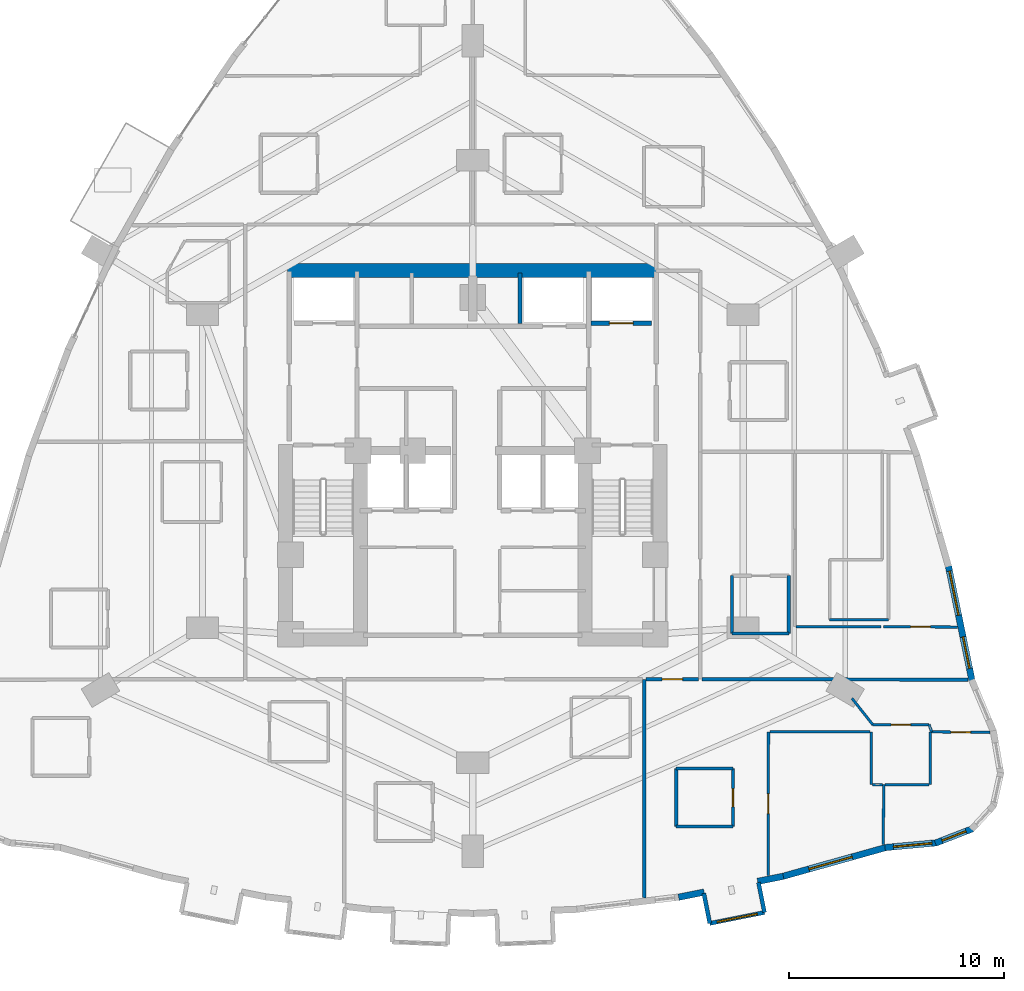
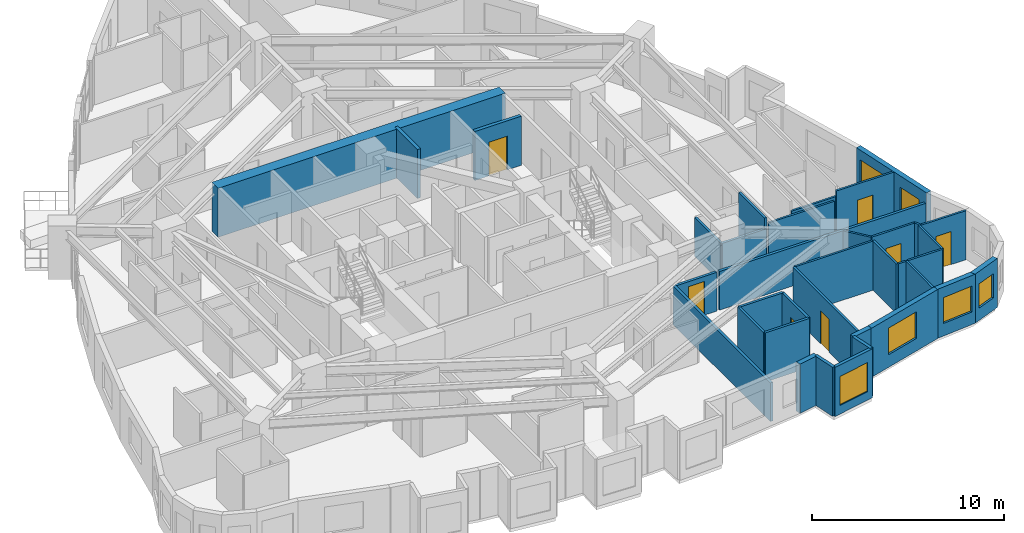
# One storey, part 13 of 17: 36 walls, 7 doors, 6 windows, 13 openings.
"""IFC4 building model written with IfcOpenShell, lengths in metres."""

from ifc_helpers import new_model, si_unit, direction, frame, frame_2d, origin, place, context, subcontext, project, spatial, rectangle, extrude, material, layer, layer_set, type_object, element, fill, save


model = new_model("IFC4")

# Units and contexts
model_context = context("Model", 3, precision=1e-05, world=origin(), true_north=direction((0.0, 1.0)))
body_context = subcontext(model_context, "Body", "Model", "MODEL_VIEW")
ifc_project = project(units=[si_unit("LENGTHUNIT", "METRE"), si_unit("AREAUNIT", "SQUARE_METRE"), si_unit("VOLUMEUNIT", "CUBIC_METRE"), si_unit("PLANEANGLEUNIT", "RADIAN"), si_unit("MASSUNIT", "GRAM", prefix="KILO")], contexts=[model_context])

# Site, building, storey
site_placement = place(None, origin())
site = spatial("IfcSite", under=ifc_project, at=site_placement, CompositionType="ELEMENT")
building_placement = place(site_placement, origin())
building = spatial("IfcBuilding", under=site, at=building_placement, Name="Miruveldt Soraemaru", CompositionType="ELEMENT")
storey_placement = place(building_placement, frame((0.0, 0.0, 53.0)))
storey = spatial("IfcBuildingStorey", under=building, at=storey_placement, Name="L14", CompositionType="ELEMENT", Elevation=53.0)

# Walls
ifc_material_1 = material(Name="White powder-coated aluminium EN AW-6060 T6", Category="aluminium")
ifc_layer_1 = layer(ifc_material_1, 0.18994140625, Name="White powder-coated aluminium EN AW-6060 T6", Category="aluminium")
ifc_layer_set_1 = layer_set([ifc_layer_1], Name="White powder-coated aluminium EN AW-6060 T6")
wall_type_1 = type_object("IfcWallType", Name="WALL-BAY-ALU190", PredefinedType="SOLIDWALL", material=ifc_layer_set_1)
for number, where, z_axis, x_axis, name in (
    (1, (54.769287109375, 23.41796875, 0.0), (0.0, 0.0, 1.0), (0.195984352603, -0.980607022989, 0.0), "L14 Bay Window Side Cheek 5L"),
    (2, (57.59814453125, 22.530517578125, 0.0), (0.0, 0.0, 1.0), (-0.196149079112, 0.980574086321, 0.0), "L14 Bay Window Side Cheek 5R"),
):
    element("IfcWall", number, at=place(storey_placement, frame(where, z_axis=z_axis, x_axis=x_axis)), inside=storey, type_object=wall_type_1, Name=name, PredefinedType="SOLIDWALL", context=body_context, shape_type="SweptSolid", body=[
        extrude(rectangle(XDim=1.425048828125, YDim=0.18994140625, at=frame_2d((0.71240234375, 0.0))), origin(), (0.0, 0.0, 1.0), 3.125),
    ])

# Wall, opening, window
wall_1_placement = place(storey_placement, frame((55.048583984375, 22.0205078125, 0.0), z_axis=(0.0, 0.0, 1.0), x_axis=(0.980573452128, 0.196152249497, 0.0)))
wall_1 = element("IfcWall", 3, at=wall_1_placement, inside=storey, type_object=wall_type_1, Name="L14 Bay Window Front Frame 5", PredefinedType="SOLIDWALL", context=body_context, shape_type="SweptSolid", body=[
    extrude(rectangle(XDim=2.60009765625, YDim=0.18994140625, at=frame_2d((1.300048828125, 0.0))), origin(), (0.0, 0.0, 1.0), 3.125),
])
opening_1_placement = place(wall_1_placement, frame((0.35009765625, 0.0, 0.550048828125)))
opening_1 = element("IfcOpeningElement", 4, at=opening_1_placement, cuts=wall_1, Name="Opening WN-6", PredefinedType="OPENING", context=body_context, shape_type="SweptSolid", body=[
    extrude(rectangle(XDim=1.89990234375, YDim=1.85009765625, at=frame_2d((0.949951171875, 0.925048828125))), frame((0.0, 0.10498046875, 0.0), z_axis=(0.0, -1.0, 0.0), x_axis=(1.0, 0.0, 0.0)), (0.0, 0.0, 1.0), 0.2099609375),
])
ifc_material_2 = material(Name="Triple low-e insulated glazing", Category="glass")
window_type_1 = type_object("IfcWindowType", Name="WIN-BAYW-1900x1850", PartitioningType="SINGLE_PANEL", PredefinedType="WINDOW", material=ifc_material_2)
window_1_placement = place(opening_1_placement, origin())
window_1 = element("IfcWindow", 5, at=window_1_placement, inside=storey, type_object=window_type_1, Name="L14 Projecting Bay Window 5", OverallHeight=1.85009765625, OverallWidth=1.89990234375, PartitioningType="SINGLE_PANEL", PredefinedType="WINDOW", context=body_context, shape_type="SweptSolid", body=[
    extrude(rectangle(XDim=1.89990234375, YDim=1.85009765625, at=frame_2d((0.949951171875, 0.925048828125))), frame((0.0, 0.030029296875, 0.0), z_axis=(0.0, -1.0, 0.0), x_axis=(1.0, 0.0, 0.0)), (0.0, 0.0, 1.0), 0.06005859375),
])
fill(opening_1, window_1)

# Walls
ifc_material_3 = material(Name="Concrete C80/95 (80 MPa)", Category="concrete")
ifc_layer_2 = layer(ifc_material_3, 0.64990234375, Name="Concrete C80/95 (80 MPa)", Category="concrete")
ifc_layer_set_2 = layer_set([ifc_layer_2], Name="Concrete C80/95 (80 MPa)")
wall_type_2 = type_object("IfcWallType", Name="WALL-CW-650", PredefinedType="SHEAR", material=ifc_layer_set_2)
wall_2_placement = place(storey_placement, frame((35.35009765625, 52.449951171875, 0.0), z_axis=(0.0, 0.0, 1.0), x_axis=(1.0, 0.0, 0.0)))
element("IfcWall", 6, at=wall_2_placement, inside=storey, type_object=wall_type_2, Name="L14 Central Core Shear Wall N", PredefinedType="SHEAR", context=body_context, shape_type="SweptSolid", body=[
    extrude(rectangle(XDim=17.2998046875, YDim=0.64990234375, at=frame_2d((8.64990234375, 0.0))), origin(), (0.0, 0.0, 1.0), 3.125),
])
ifc_material_4 = material(Name="Precast concrete C45/55 (45 MPa)", Category="concrete")
ifc_layer_3 = layer(ifc_material_4, 0.300048828125, Name="Precast concrete C45/55 (45 MPa)", Category="concrete")
ifc_layer_set_3 = layer_set([ifc_layer_3], Name="Precast concrete C45/55 (45 MPa)")
wall_type_3 = type_object("IfcWallType", Name="WALL-EXT-PC300", PredefinedType="SOLIDWALL", material=ifc_layer_set_3)
for number, where, z_axis, x_axis, name in (
    (7, (53.59228515625, 23.238525390625, 0.0), (0.0, 0.0, 1.0), (0.980557564688, 0.196231654767, 0.0), "L14 Precast Pier Wall 27A"),
    (8, (57.278564453125, 23.975830078125, 0.0), (0.0, 0.0, 1.0), (0.980557564688, 0.196231654767, 0.0), "L14 Precast Pier Wall 27B"),
):
    element("IfcWall", number, at=place(storey_placement, frame(where, z_axis=z_axis, x_axis=x_axis)), inside=storey, type_object=wall_type_3, Name=name, PredefinedType="SOLIDWALL", context=body_context, shape_type="SweptSolid", body=[
        extrude(rectangle(XDim=1.21923828125, YDim=0.300048828125, at=frame_2d((0.609619140625, 0.0))), origin(), (0.0, 0.0, 1.0), 3.125),
    ])

# Wall, opening, window
wall_3_placement = place(storey_placement, frame((58.406005859375, 24.19873046875, 0.0), z_axis=(0.0, 0.0, 1.0), x_axis=(0.962973524066, 0.269595979102, 0.0)))
wall_3 = element("IfcWall", 9, at=wall_3_placement, inside=storey, type_object=wall_type_3, Name="L14 Precast Concrete Facade Wall 28", PredefinedType="SOLIDWALL", context=body_context, shape_type="SweptSolid", body=[
    extrude(rectangle(XDim=5.068603515625, YDim=0.300048828125, at=frame_2d((2.5341796875, 0.0))), origin(), (0.0, 0.0, 1.0), 3.125),
])
opening_2_placement = place(wall_3_placement, frame((1.306884765625, 0.0, 0.800048828125)))
opening_2 = element("IfcOpeningElement", 10, at=opening_2_placement, cuts=wall_3, Name="Opening WN-1", PredefinedType="OPENING", context=body_context, shape_type="SweptSolid", body=[
    extrude(rectangle(XDim=2.10009765625, YDim=1.699951171875, at=frame_2d((1.050048828125, 0.85009765625))), frame((0.0, 0.16015625, 0.0), z_axis=(0.0, -1.0, 0.0), x_axis=(1.0, 0.0, 0.0)), (0.0, 0.0, 1.0), 0.320068359375),
])
window_type_2 = type_object("IfcWindowType", Name="WIN-PUNCH-2100x1700", PartitioningType="SINGLE_PANEL", PredefinedType="WINDOW", material=ifc_material_2)
window_2_placement = place(opening_2_placement, origin())
window_2 = element("IfcWindow", 11, at=window_2_placement, inside=storey, type_object=window_type_2, Name="L14 Punched Triple-Glazed Window 28.1", OverallHeight=1.699951171875, OverallWidth=2.10009765625, PartitioningType="SINGLE_PANEL", PredefinedType="WINDOW", context=body_context, shape_type="SweptSolid", body=[
    extrude(rectangle(XDim=2.10009765625, YDim=1.699951171875, at=frame_2d((1.050048828125, 0.85009765625))), frame((0.0, 0.030029296875, 0.0), z_axis=(0.0, -1.0, 0.0), x_axis=(1.0, 0.0, 0.0)), (0.0, 0.0, 1.0), 0.06005859375),
])
fill(opening_2, window_2)

wall_4_placement = place(storey_placement, frame((63.21826171875, 25.552734375, 0.0), z_axis=(0.0, 0.0, 1.0), x_axis=(0.995769232406, 0.091889258318, 0.0)))
wall_4 = element("IfcWall", 12, at=wall_4_placement, inside=storey, type_object=wall_type_3, Name="L14 Precast Concrete Facade Wall 29", PredefinedType="SOLIDWALL", context=body_context, shape_type="SweptSolid", body=[
    extrude(rectangle(XDim=2.423095703125, YDim=0.300048828125, at=frame_2d((1.21142578125, 0.0))), origin(), (0.0, 0.0, 1.0), 3.125),
])
opening_3_placement = place(wall_4_placement, frame((0.39501953125, 0.0, 0.800048828125)))
opening_3 = element("IfcOpeningElement", 13, at=opening_3_placement, cuts=wall_4, Name="Opening WN-2", PredefinedType="OPENING", context=body_context, shape_type="SweptSolid", body=[
    extrude(rectangle(XDim=1.800048828125, YDim=1.64990234375, at=frame_2d((0.89990234375, 0.824951171875))), frame((0.0, 0.16015625, 0.0), z_axis=(0.0, -1.0, 0.0), x_axis=(1.0, 0.0, 0.0)), (0.0, 0.0, 1.0), 0.320068359375),
])
window_type_3 = type_object("IfcWindowType", Name="WIN-PUNCH-1800x1650", PartitioningType="SINGLE_PANEL", PredefinedType="WINDOW", material=ifc_material_2)
window_3_placement = place(opening_3_placement, origin())
window_3 = element("IfcWindow", 14, at=window_3_placement, inside=storey, type_object=window_type_3, Name="L14 Punched Triple-Glazed Window 29.1", OverallHeight=1.64990234375, OverallWidth=1.800048828125, PartitioningType="SINGLE_PANEL", PredefinedType="WINDOW", context=body_context, shape_type="SweptSolid", body=[
    extrude(rectangle(XDim=1.800048828125, YDim=1.64990234375, at=frame_2d((0.89990234375, 0.824951171875))), frame((0.0, 0.030029296875, 0.0), z_axis=(0.0, -1.0, 0.0), x_axis=(1.0, 0.0, 0.0)), (0.0, 0.0, 1.0), 0.06005859375),
])
fill(opening_3, window_3)

wall_5_placement = place(storey_placement, frame((65.5634765625, 25.759521484375, 0.0), z_axis=(0.0, 0.0, 1.0), x_axis=(0.932255014828, 0.361801861975, 0.0)))
wall_5 = element("IfcWall", 15, at=wall_5_placement, inside=storey, type_object=wall_type_3, Name="L14 Precast Concrete Facade Wall 30", PredefinedType="SOLIDWALL", context=body_context, shape_type="SweptSolid", body=[
    extrude(rectangle(XDim=1.865234375, YDim=0.300048828125, at=frame_2d((0.9326171875, 0.0))), origin(), (0.0, 0.0, 1.0), 3.125),
])
opening_4_placement = place(wall_5_placement, frame((0.3330078125, 0.0, 0.780029296875)))
opening_4 = element("IfcOpeningElement", 16, at=opening_4_placement, cuts=wall_5, Name="Opening WN-4", PredefinedType="OPENING", context=body_context, shape_type="SweptSolid", body=[
    extrude(rectangle(XDim=1.199951171875, YDim=1.550048828125, at=frame_2d((0.60009765625, 0.77490234375))), frame((0.0, 0.16015625, 0.0), z_axis=(0.0, -1.0, 0.0), x_axis=(1.0, 0.0, 0.0)), (0.0, 0.0, 1.0), 0.320068359375),
])
window_type_4 = type_object("IfcWindowType", Name="WIN-PUNCH-1200x1550", PartitioningType="SINGLE_PANEL", PredefinedType="WINDOW", material=ifc_material_2)
window_4_placement = place(opening_4_placement, origin())
window_4 = element("IfcWindow", 17, at=window_4_placement, inside=storey, type_object=window_type_4, Name="L14 Punched Triple-Glazed Window 30.1", OverallHeight=1.550048828125, OverallWidth=1.199951171875, PartitioningType="SINGLE_PANEL", PredefinedType="WINDOW", context=body_context, shape_type="SweptSolid", body=[
    extrude(rectangle(XDim=1.199951171875, YDim=1.550048828125, at=frame_2d((0.60009765625, 0.77490234375))), frame((0.0, 0.030029296875, 0.0), z_axis=(0.0, -1.0, 0.0), x_axis=(1.0, 0.0, 0.0)), (0.0, 0.0, 1.0), 0.06005859375),
])
fill(opening_4, window_4)

# Wall, openings, windows
wall_6_placement = place(storey_placement, frame((67.276611328125, 33.313232421875, 0.0), z_axis=(0.0, 0.0, 1.0), x_axis=(-0.201560647918, 0.979476036057, 0.0)))
wall_6 = element("IfcWall", 18, at=wall_6_placement, inside=storey, type_object=wall_type_3, Name="L14 Precast Concrete Facade Wall 35", PredefinedType="SOLIDWALL", context=body_context, shape_type="SweptSolid", body=[
    extrude(rectangle(XDim=5.5244140625, YDim=0.300048828125, at=frame_2d((2.76220703125, 0.0))), origin(), (0.0, 0.0, 1.0), 3.125),
])
opening_5_placement = place(wall_6_placement, frame((0.60498046875, 0.0, 0.800048828125)))
opening_5 = element("IfcOpeningElement", 19, at=opening_5_placement, cuts=wall_6, Name="Opening WN-3", PredefinedType="OPENING", context=body_context, shape_type="SweptSolid", body=[
    extrude(rectangle(XDim=1.5, YDim=1.60009765625, at=frame_2d((0.75, 0.800048828125))), frame((0.0, 0.16015625, 0.0), z_axis=(0.0, -1.0, 0.0), x_axis=(1.0, 0.0, 0.0)), (0.0, 0.0, 1.0), 0.320068359375),
])
opening_6_placement = place(wall_6_placement, frame((3.135009765625, 0.0, 0.800048828125)))
opening_6 = element("IfcOpeningElement", 20, at=opening_6_placement, cuts=wall_6, Name="Opening WN-1", PredefinedType="OPENING", context=body_context, shape_type="SweptSolid", body=[
    extrude(rectangle(XDim=2.10009765625, YDim=1.699951171875, at=frame_2d((1.050048828125, 0.85009765625))), frame((0.0, 0.16015625, 0.0), z_axis=(0.0, -1.0, 0.0), x_axis=(1.0, 0.0, 0.0)), (0.0, 0.0, 1.0), 0.320068359375),
])
window_type_5 = type_object("IfcWindowType", Name="WIN-PUNCH-1500x1600", PartitioningType="SINGLE_PANEL", PredefinedType="WINDOW", material=ifc_material_2)
window_5_placement = place(opening_5_placement, origin())
window_5 = element("IfcWindow", 21, at=window_5_placement, inside=storey, type_object=window_type_5, Name="L14 Punched Triple-Glazed Window 35.1", OverallHeight=1.60009765625, OverallWidth=1.5, PartitioningType="SINGLE_PANEL", PredefinedType="WINDOW", context=body_context, shape_type="SweptSolid", body=[
    extrude(rectangle(XDim=1.5, YDim=1.60009765625, at=frame_2d((0.75, 0.800048828125))), frame((0.0, 0.030029296875, 0.0), z_axis=(0.0, -1.0, 0.0), x_axis=(1.0, 0.0, 0.0)), (0.0, 0.0, 1.0), 0.06005859375),
])
fill(opening_5, window_5)
window_6_placement = place(opening_6_placement, origin())
window_6 = element("IfcWindow", 22, at=window_6_placement, inside=storey, type_object=window_type_2, Name="L14 Punched Triple-Glazed Window 35.2", OverallHeight=1.699951171875, OverallWidth=2.10009765625, PartitioningType="SINGLE_PANEL", PredefinedType="WINDOW", context=body_context, shape_type="SweptSolid", body=[
    extrude(rectangle(XDim=2.10009765625, YDim=1.699951171875, at=frame_2d((1.050048828125, 0.85009765625))), frame((0.0, 0.030029296875, 0.0), z_axis=(0.0, -1.0, 0.0), x_axis=(1.0, 0.0, 0.0)), (0.0, 0.0, 1.0), 0.06005859375),
])
fill(opening_6, window_6)

# Wall, opening, door
ifc_material_5 = material(Name="Gypsum plasterboard lining", Category="gypsum")
ifc_layer_4 = layer(ifc_material_5, 0.1201171875, Name="Gypsum plasterboard lining", Category="gypsum")
ifc_layer_set_4 = layer_set([ifc_layer_4], Name="Gypsum plasterboard lining")
wall_type_4 = type_object("IfcWallType", Name="WALL-INT-P120", PredefinedType="PARTITIONING", material=ifc_layer_set_4)
wall_7_placement = place(storey_placement, frame((57.76708984375, 24.241943359375, 0.0), z_axis=(0.0, 0.0, 1.0), x_axis=(0.002511274655, 0.999996846745, 0.0)))
wall_7 = element("IfcWall", 23, at=wall_7_placement, inside=storey, type_object=wall_type_4, Name="L14 Partition Wall 99", PredefinedType="PARTITIONING", context=body_context, shape_type="SweptSolid", body=[
    extrude(rectangle(XDim=6.7080078125, YDim=0.1201171875, at=frame_2d((3.35400390625, 0.0))), origin(), (0.0, 0.0, 1.0), 3.125),
])
opening_7_placement = place(wall_7_placement, frame((2.89404296875, 0.0, 0.0)))
opening_7 = element("IfcOpeningElement", 24, at=opening_7_placement, cuts=wall_7, Name="Opening D3A", PredefinedType="OPENING", context=body_context, shape_type="SweptSolid", body=[
    extrude(rectangle(XDim=0.919921875, YDim=2.10009765625, at=frame_2d((0.4599609375, 1.050048828125))), frame((0.0, 0.070068359375, 0.0), z_axis=(0.0, -1.0, 0.0), x_axis=(1.0, 0.0, 0.0)), (0.0, 0.0, 1.0), 0.14013671875),
])
ifc_material_6 = material(Name="Anodised aluminium EN AW-6063 T6", Category="aluminium")
door_type_1 = type_object("IfcDoorType", Name="DOOR-INT-920", OperationType="NOTDEFINED", PredefinedType="DOOR", material=ifc_material_6)
door_1_placement = place(opening_7_placement, origin())
door_1 = element("IfcDoor", 25, at=door_1_placement, inside=storey, type_object=door_type_1, Name="L14 Unit 1409 BD1 Door", OperationType="SINGLE_SWING_LEFT", OverallHeight=2.10009765625, OverallWidth=0.919921875, PredefinedType="DOOR", context=body_context, shape_type="SweptSolid", body=[
    extrude(rectangle(XDim=0.919921875, YDim=2.10009765625, at=frame_2d((0.4599609375, 1.050048828125))), frame((0.0, 0.02490234375, 0.0), z_axis=(0.0, -1.0, 0.0), x_axis=(1.0, 0.0, 0.0)), (0.0, 0.0, 1.0), 0.050048828125),
])
fill(opening_7, door_1)

wall_8_placement = place(storey_placement, frame((66.590087890625, 35.8330078125, 0.0), z_axis=(0.0, 0.0, 1.0), x_axis=(-0.99998766816, 0.004966238863, 0.0)))
wall_8 = element("IfcWall", 26, at=wall_8_placement, inside=storey, type_object=wall_type_4, Name="L14 Partition Wall 68", PredefinedType="PARTITIONING", context=body_context, shape_type="SweptSolid", body=[
    extrude(rectangle(XDim=3.441162109375, YDim=0.1201171875, at=frame_2d((1.720703125, 0.0))), origin(), (0.0, 0.0, 1.0), 3.125),
])
opening_8_placement = place(wall_8_placement, frame((1.260986328125, 0.0, 0.0)))
opening_8 = element("IfcOpeningElement", 27, at=opening_8_placement, cuts=wall_8, Name="Opening D3A", PredefinedType="OPENING", context=body_context, shape_type="SweptSolid", body=[
    extrude(rectangle(XDim=0.919921875, YDim=2.10009765625, at=frame_2d((0.4599609375, 1.050048828125))), frame((0.0, 0.070068359375, 0.0), z_axis=(0.0, -1.0, 0.0), x_axis=(1.0, 0.0, 0.0)), (0.0, 0.0, 1.0), 0.14013671875),
])
door_2_placement = place(opening_8_placement, origin())
door_2 = element("IfcDoor", 28, at=door_2_placement, inside=storey, type_object=door_type_1, Name="L14 Unit 1405 EXT Door", OperationType="SINGLE_SWING_LEFT", OverallHeight=2.10009765625, OverallWidth=0.919921875, PredefinedType="DOOR", context=body_context, shape_type="SweptSolid", body=[
    extrude(rectangle(XDim=0.919921875, YDim=2.10009765625, at=frame_2d((0.4599609375, 1.050048828125))), frame((0.0, 0.02490234375, 0.0), z_axis=(0.0, -1.0, 0.0), x_axis=(1.0, 0.0, 0.0)), (0.0, 0.0, 1.0), 0.050048828125),
])
fill(opening_8, door_2)

wall_9_placement = place(storey_placement, frame((65.389892578125, 30.948974609375, 0.0), z_axis=(0.0, 0.0, 1.0), x_axis=(0.999943133805, -0.010664387249, 0.0)))
wall_9 = element("IfcWall", 29, at=wall_9_placement, inside=storey, type_object=wall_type_4, Name="L14 Partition Wall 101", PredefinedType="PARTITIONING", context=body_context, shape_type="SweptSolid", body=[
    extrude(rectangle(XDim=2.724365234375, YDim=0.1201171875, at=frame_2d((1.3623046875, 0.0))), origin(), (0.0, 0.0, 1.0), 3.125),
])
opening_9_placement = place(wall_9_placement, frame((0.902099609375, 0.0, 0.0)))
opening_9 = element("IfcOpeningElement", 30, at=opening_9_placement, cuts=wall_9, Name="Opening D3A", PredefinedType="OPENING", context=body_context, shape_type="SweptSolid", body=[
    extrude(rectangle(XDim=0.919921875, YDim=2.10009765625, at=frame_2d((0.4599609375, 1.050048828125))), frame((0.0, 0.070068359375, 0.0), z_axis=(0.0, -1.0, 0.0), x_axis=(1.0, 0.0, 0.0)), (0.0, 0.0, 1.0), 0.14013671875),
])
door_3_placement = place(opening_9_placement, origin())
door_3 = element("IfcDoor", 31, at=door_3_placement, inside=storey, type_object=door_type_1, Name="L14 Unit 1409 BD2 Door", OperationType="SINGLE_SWING_RIGHT", OverallHeight=2.10009765625, OverallWidth=0.919921875, PredefinedType="DOOR", context=body_context, shape_type="SweptSolid", body=[
    extrude(rectangle(XDim=0.919921875, YDim=2.10009765625, at=frame_2d((0.4599609375, 1.050048828125))), frame((0.0, 0.02490234375, 0.0), z_axis=(0.0, -1.0, 0.0), x_axis=(1.0, 0.0, 0.0)), (0.0, 0.0, 1.0), 0.050048828125),
])
fill(opening_9, door_3)

wall_10_placement = place(storey_placement, frame((65.27001953125, 31.2890625, 0.0), z_axis=(0.0, 0.0, 1.0), x_axis=(-1.0, 0.0, 0.0)))
wall_10 = element("IfcWall", 32, at=wall_10_placement, inside=storey, type_object=wall_type_4, Name="L14 Partition Wall 98", PredefinedType="PARTITIONING", context=body_context, shape_type="SweptSolid", body=[
    extrude(rectangle(XDim=2.630126953125, YDim=0.1201171875, at=frame_2d((1.31494140625, 0.0))), origin(), (0.0, 0.0, 1.0), 3.125),
])
opening_10_placement = place(wall_10_placement, frame((0.85498046875, 0.0, 0.0)))
opening_10 = element("IfcOpeningElement", 33, at=opening_10_placement, cuts=wall_10, Name="Opening D3A", PredefinedType="OPENING", context=body_context, shape_type="SweptSolid", body=[
    extrude(rectangle(XDim=0.919921875, YDim=2.10009765625, at=frame_2d((0.4599609375, 1.050048828125))), frame((0.0, 0.070068359375, 0.0), z_axis=(0.0, -1.0, 0.0), x_axis=(1.0, 0.0, 0.0)), (0.0, 0.0, 1.0), 0.14013671875),
])
door_4_placement = place(opening_10_placement, origin())
door_4 = element("IfcDoor", 34, at=door_4_placement, inside=storey, type_object=door_type_1, Name="L14 Unit 1409 KIT Door", OperationType="SINGLE_SWING_RIGHT", OverallHeight=2.10009765625, OverallWidth=0.919921875, PredefinedType="DOOR", context=body_context, shape_type="SweptSolid", body=[
    extrude(rectangle(XDim=0.919921875, YDim=2.10009765625, at=frame_2d((0.4599609375, 1.050048828125))), frame((0.0, 0.02490234375, 0.0), z_axis=(0.0, -1.0, 0.0), x_axis=(1.0, 0.0, 0.0)), (0.0, 0.0, 1.0), 0.050048828125),
])
fill(opening_10, door_4)

# Walls
wall_11_placement = place(storey_placement, frame((57.843994140625, 30.949951171875, 0.0), z_axis=(0.0, 0.0, 1.0), x_axis=(1.0, 0.0, 0.0)))
element("IfcWall", 35, at=wall_11_placement, inside=storey, type_object=wall_type_4, Name="L14 Partition Wall 100", PredefinedType="PARTITIONING", context=body_context, shape_type="SweptSolid", body=[
    extrude(rectangle(XDim=4.676025390625, YDim=0.1201171875, at=frame_2d((2.337890625, 0.0))), origin(), (0.0, 0.0, 1.0), 3.125),
])
wall_12_placement = place(storey_placement, frame((63.029052734375, 35.85009765625, 0.0), z_axis=(0.0, 0.0, 1.0), x_axis=(-1.0, 0.0, 0.0)))
element("IfcWall", 36, at=wall_12_placement, inside=storey, type_object=wall_type_4, Name="L14 Partition Wall 66", PredefinedType="PARTITIONING", context=body_context, shape_type="SweptSolid", body=[
    extrude(rectangle(XDim=3.967041015625, YDim=0.1201171875, at=frame_2d((1.9833984375, 0.0))), origin(), (0.0, 0.0, 1.0), 2.512939453125),
])
wall_13_placement = place(storey_placement, frame((63.133056640625, 25.694091796875, 0.0), z_axis=(0.0, 0.0, 1.0), x_axis=(0.008210764445, 0.999966291105, 0.0)))
element("IfcWall", 37, at=wall_13_placement, inside=storey, type_object=wall_type_4, Name="L14 Partition Wall 106", PredefinedType="PARTITIONING", context=body_context, shape_type="SweptSolid", body=[
    extrude(rectangle(XDim=2.794921875, YDim=0.1201171875, at=frame_2d((1.3974609375, 0.0))), origin(), (0.0, 0.0, 1.0), 3.125),
])
wall_14_placement = place(storey_placement, frame((60.6298828125, 36.179931640625, 0.0), z_axis=(0.0, 0.0, 1.0), x_axis=(1.0, 0.0, 0.0)))
element("IfcWall", 38, at=wall_14_placement, inside=storey, type_object=wall_type_4, Name="L14 Partition Wall 109", PredefinedType="PARTITIONING", context=body_context, shape_type="SweptSolid", body=[
    extrude(rectangle(XDim=2.75, YDim=0.1201171875, at=frame_2d((1.375, 0.0))), origin(), (0.0, 0.0, 1.0), 2.512939453125),
])
for number, where, z_axis, x_axis, name in (
    (39, (62.580078125, 30.949951171875, 0.0), (0.0, 0.0, 1.0), (0.0, -1.0, 0.0), "L14 Partition Wall 102"),
    (40, (65.330078125, 28.489013671875, 0.0), (0.0, 0.0, 1.0), (0.0, 1.0, 0.0), "L14 Partition Wall 105"),
):
    element("IfcWall", number, at=place(storey_placement, frame(where, z_axis=z_axis, x_axis=x_axis)), inside=storey, type_object=wall_type_4, Name=name, PredefinedType="PARTITIONING", context=body_context, shape_type="SweptSolid", body=[
        extrude(rectangle(XDim=2.4609375, YDim=0.1201171875, at=frame_2d((1.23046875, 0.0))), origin(), (0.0, 0.0, 1.0), 3.125),
    ])
wall_15_placement = place(storey_placement, frame((63.216064453125, 28.489013671875, 0.0), z_axis=(0.0, 0.0, 1.0), x_axis=(1.0, 0.0, 0.0)))
element("IfcWall", 41, at=wall_15_placement, inside=storey, type_object=wall_type_4, Name="L14 Partition Wall 104", PredefinedType="PARTITIONING", context=body_context, shape_type="SweptSolid", body=[
    extrude(rectangle(XDim=2.053955078125, YDim=0.1201171875, at=frame_2d((1.02685546875, 0.0))), origin(), (0.0, 0.0, 1.0), 3.125),
])
wall_16_placement = place(storey_placement, frame((62.639892578125, 31.2890625, 0.0), z_axis=(0.0, 0.0, 1.0), x_axis=(-0.619720396739, 0.784822674153, 0.0)))
element("IfcWall", 42, at=wall_16_placement, inside=storey, type_object=wall_type_4, Name="L14 Partition Closure Return 2", PredefinedType="PARTITIONING", context=body_context, shape_type="SweptSolid", body=[
    extrude(rectangle(XDim=1.56005859375, YDim=0.1201171875, at=frame_2d((0.780029296875, 0.0))), origin(), (0.0, 0.0, 1.0), 3.125),
])
wall_17_placement = place(storey_placement, frame((62.639892578125, 28.489013671875, 0.0), z_axis=(0.0, 0.0, 1.0), x_axis=(1.0, 0.0, 0.0)))
element("IfcWall", 43, at=wall_17_placement, inside=storey, type_object=wall_type_4, Name="L14 Partition Wall 103", PredefinedType="PARTITIONING", context=body_context, shape_type="SweptSolid", body=[
    extrude(rectangle(XDim=0.4560546875, YDim=0.1201171875, at=frame_2d((0.22802734375, 0.0))), origin(), (0.0, 0.0, 1.0), 3.125),
])
wall_18_placement = place(storey_placement, frame((65.27001953125, 31.2890625, 0.0), z_axis=(0.0, 0.0, 1.0), x_axis=(0.332430526381, -0.943127745923, 0.0)))
element("IfcWall", 44, at=wall_18_placement, inside=storey, type_object=wall_type_4, Name="L14 Partition Closure Return 1", PredefinedType="PARTITIONING", context=body_context, shape_type="SweptSolid", body=[
    extrude(rectangle(XDim=0.360595703125, YDim=0.1201171875, at=frame_2d((0.18017578125, 0.0))), origin(), (0.0, 0.0, 1.0), 3.125),
])

# Wall, opening, door
ifc_layer_5 = layer(ifc_material_5, 0.14990234375, Name="Gypsum plasterboard lining", Category="gypsum")
ifc_layer_set_5 = layer_set([ifc_layer_5], Name="Gypsum plasterboard lining")
wall_type_5 = type_object("IfcWallType", Name="WALL-INT-PLUMB", PredefinedType="PLUMBINGWALL", material=ifc_layer_set_5)
wall_19_placement = place(storey_placement, frame((56.1298828125, 26.5390625, 0.0), z_axis=(0.0, 0.0, 1.0), x_axis=(0.0, 1.0, 0.0)))
wall_19 = element("IfcWall", 45, at=wall_19_placement, inside=storey, type_object=wall_type_5, Name="L14 Partition Wall 94", PredefinedType="PLUMBINGWALL", context=body_context, shape_type="SweptSolid", body=[
    extrude(rectangle(XDim=2.699951171875, YDim=0.14990234375, at=frame_2d((1.35009765625, 0.0))), origin(), (0.0, 0.0, 1.0), 3.125),
])
opening_11_placement = place(wall_19_placement, frame((0.909912109375, 0.0, 0.0)))
opening_11 = element("IfcOpeningElement", 46, at=opening_11_placement, cuts=wall_19, Name="Opening FD3", PredefinedType="OPENING", context=body_context, shape_type="SweptSolid", body=[
    extrude(rectangle(XDim=0.85009765625, YDim=2.10009765625, at=frame_2d((0.425048828125, 1.050048828125))), frame((0.0, 0.0849609375, 0.0), z_axis=(0.0, -1.0, 0.0), x_axis=(1.0, 0.0, 0.0)), (0.0, 0.0, 1.0), 0.169921875),
])
door_type_2 = type_object("IfcDoorType", Name="DOOR-FD3-850", OperationType="NOTDEFINED", PredefinedType="DOOR", material=ifc_material_6)
door_5_placement = place(opening_11_placement, origin())
door_5 = element("IfcDoor", 47, at=door_5_placement, inside=storey, type_object=door_type_2, Name="L14 Unit 1409 BTH Door", OperationType="SINGLE_SWING_LEFT", OverallHeight=2.10009765625, OverallWidth=0.85009765625, PredefinedType="DOOR", context=body_context, shape_type="SweptSolid", body=[
    extrude(rectangle(XDim=0.85009765625, YDim=2.10009765625, at=frame_2d((0.425048828125, 1.050048828125))), frame((0.0, 0.02490234375, 0.0), z_axis=(0.0, -1.0, 0.0), x_axis=(1.0, 0.0, 0.0)), (0.0, 0.0, 1.0), 0.050048828125),
])
fill(opening_11, door_5)

# Walls
for number, where, z_axis, x_axis, name in (
    (48, (53.47998046875, 29.239013671875, 0.0), (0.0, 0.0, 1.0), (0.0, -1.0, 0.0), "L14 Partition Wall 96"),
    (49, (58.72998046875, 35.530029296875, 0.0), (0.0, 0.0, 1.0), (0.0, 1.0, 0.0), "L14 Partition Wall 62"),
):
    element("IfcWall", number, at=place(storey_placement, frame(where, z_axis=z_axis, x_axis=x_axis)), inside=storey, type_object=wall_type_5, Name=name, PredefinedType="PLUMBINGWALL", context=body_context, shape_type="SweptSolid", body=[
        extrude(rectangle(XDim=2.699951171875, YDim=0.14990234375, at=frame_2d((1.35009765625, 0.0))), origin(), (0.0, 0.0, 1.0), 3.125),
    ])
wall_20_placement = place(storey_placement, frame((56.080078125, 38.22998046875, 0.0), z_axis=(0.0, 0.0, 1.0), x_axis=(0.0, -1.0, 0.0)))
element("IfcWall", 50, at=wall_20_placement, inside=storey, type_object=wall_type_5, Name="L14 Partition Wall 64", PredefinedType="PLUMBINGWALL", context=body_context, shape_type="SweptSolid", body=[
    extrude(rectangle(XDim=2.699951171875, YDim=0.14990234375, at=frame_2d((1.35009765625, 0.0))), origin(), (0.0, 0.0, 1.0), 2.462890625),
])
for number, where, z_axis, x_axis, name in (
    (51, (56.1298828125, 29.239013671875, 0.0), (0.0, 0.0, 1.0), (-1.0, 0.0, 0.0), "L14 Partition Wall 95"),
    (52, (53.47998046875, 26.5390625, 0.0), (0.0, 0.0, 1.0), (1.0, 0.0, 0.0), "L14 Partition Wall 97"),
):
    element("IfcWall", number, at=place(storey_placement, frame(where, z_axis=z_axis, x_axis=x_axis)), inside=storey, type_object=wall_type_5, Name=name, PredefinedType="PLUMBINGWALL", context=body_context, shape_type="SweptSolid", body=[
        extrude(rectangle(XDim=2.64990234375, YDim=0.14990234375, at=frame_2d((1.324951171875, 0.0))), origin(), (0.0, 0.0, 1.0), 3.125),
    ])
wall_21_placement = place(storey_placement, frame((56.080078125, 35.530029296875, 0.0), z_axis=(0.0, 0.0, 1.0), x_axis=(1.0, 0.0, 0.0)))
element("IfcWall", 53, at=wall_21_placement, inside=storey, type_object=wall_type_5, Name="L14 Partition Wall 65", PredefinedType="PLUMBINGWALL", context=body_context, shape_type="SweptSolid", body=[
    extrude(rectangle(XDim=2.64990234375, YDim=0.14990234375, at=frame_2d((1.324951171875, 0.0))), origin(), (0.0, 0.0, 1.0), 2.462890625),
])

# Wall, opening, door
ifc_material_7 = material(Name="Concrete C40/50 (40 MPa)", Category="concrete")
ifc_layer_6 = layer(ifc_material_7, 0.159912109375, Name="Concrete C40/50 (40 MPa)", Category="concrete")
ifc_layer_set_6 = layer_set([ifc_layer_6], Name="Concrete C40/50 (40 MPa)")
wall_type_6 = type_object("IfcWallType", Name="WALL-INT-RC160", PredefinedType="SOLIDWALL", material=ifc_layer_set_6)
wall_22_placement = place(storey_placement, frame((52.080078125, 33.39990234375, 0.0), z_axis=(0.0, 0.0, 1.0), x_axis=(1.0, 0.0, 0.0)))
wall_22 = element("IfcWall", 54, at=wall_22_placement, inside=storey, type_object=wall_type_6, Name="L14 Partition Wall 11", PredefinedType="SOLIDWALL", context=body_context, shape_type="SweptSolid", body=[
    extrude(rectangle(XDim=2.43994140625, YDim=0.159912109375, at=frame_2d((1.219970703125, 0.0))), origin(), (0.0, 0.0, 1.0), 2.462890625),
])
opening_12_placement = place(wall_22_placement, frame((0.7451171875, 0.0, 0.0)))
opening_12 = element("IfcOpeningElement", 55, at=opening_12_placement, cuts=wall_22, Name="Opening FD2", PredefinedType="OPENING", context=body_context, shape_type="SweptSolid", body=[
    extrude(rectangle(XDim=0.949951171875, YDim=2.14990234375, at=frame_2d((0.47509765625, 1.074951171875))), frame((0.0, 0.08984375, 0.0), z_axis=(0.0, -1.0, 0.0), x_axis=(1.0, 0.0, 0.0)), (0.0, 0.0, 1.0), 0.179931640625),
])
door_type_3 = type_object("IfcDoorType", Name="DOOR-FD2-950", OperationType="NOTDEFINED", PredefinedType="DOOR", material=ifc_material_6)
door_6_placement = place(opening_12_placement, origin())
door_6 = element("IfcDoor", 56, at=door_6_placement, inside=storey, type_object=door_type_3, Name="L14 Unit 1409 Entrance Fire Door", OperationType="SINGLE_SWING_RIGHT", OverallHeight=2.14990234375, OverallWidth=0.949951171875, PredefinedType="DOOR", context=body_context, shape_type="SweptSolid", body=[
    extrude(rectangle(XDim=0.949951171875, YDim=2.14990234375, at=frame_2d((0.47509765625, 1.074951171875))), frame((0.0, 0.02490234375, 0.0), z_axis=(0.0, -1.0, 0.0), x_axis=(1.0, 0.0, 0.0)), (0.0, 0.0, 1.0), 0.050048828125),
])
fill(opening_12, door_6)

# Walls
wall_23_placement = place(storey_placement, frame((54.679931640625, 33.39990234375, 0.0), z_axis=(0.0, 0.0, 1.0), x_axis=(0.999999079296, -0.001356984276, 0.0)))
element("IfcWall", 57, at=wall_23_placement, inside=storey, type_object=wall_type_6, Name="L14 Partition Wall 70", PredefinedType="SOLIDWALL", context=body_context, shape_type="SweptSolid", body=[
    extrude(rectangle(XDim=12.4140625, YDim=0.159912109375, at=frame_2d((6.20703125, 0.0))), origin(), (0.0, 0.0, 1.0), 2.462890625),
])
wall_24_placement = place(storey_placement, frame((51.989990234375, 23.215087890625, 0.0), z_axis=(0.0, 0.0, 1.0), x_axis=(0.000982812288, 0.99999951704, 0.0)))
element("IfcWall", 58, at=wall_24_placement, inside=storey, type_object=wall_type_6, Name="L14 Partition Wall 93", PredefinedType="SOLIDWALL", context=body_context, shape_type="SweptSolid", body=[
    extrude(rectangle(XDim=10.184814453125, YDim=0.159912109375, at=frame_2d((5.09228515625, 0.0))), origin(), (0.0, 0.0, 1.0), 2.462890625),
])

# Wall, opening, door
ifc_layer_7 = layer(ifc_material_7, 0.199951171875, Name="Concrete C40/50 (40 MPa)", Category="concrete")
ifc_layer_set_7 = layer_set([ifc_layer_7], Name="Concrete C40/50 (40 MPa)")
wall_type_7 = type_object("IfcWallType", Name="WALL-INT-RC200", PredefinedType="SOLIDWALL", material=ifc_layer_set_7)
wall_25_placement = place(storey_placement, frame((49.52001953125, 50.0, 0.0), z_axis=(0.0, 0.0, 1.0), x_axis=(1.0, 0.0, 0.0)))
wall_25 = element("IfcWall", 59, at=wall_25_placement, inside=storey, type_object=wall_type_7, Name="L14 Core Compartment Wall FFL2-S", PredefinedType="SOLIDWALL", context=body_context, shape_type="SweptSolid", body=[
    extrude(rectangle(XDim=2.800048828125, YDim=0.199951171875, at=frame_2d((1.39990234375, 0.0))), origin(), (0.0, 0.0, 1.0), 3.125),
])
opening_13_placement = place(wall_25_placement, frame((0.85009765625, 0.0, 0.0)))
opening_13 = element("IfcOpeningElement", 60, at=opening_13_placement, cuts=wall_25, Name="Opening LD2", PredefinedType="OPENING", context=body_context, shape_type="SweptSolid", body=[
    extrude(rectangle(XDim=1.10009765625, YDim=2.14990234375, at=frame_2d((0.550048828125, 1.074951171875))), frame((0.0, 0.10986328125, 0.0), z_axis=(0.0, -1.0, 0.0), x_axis=(1.0, 0.0, 0.0)), (0.0, 0.0, 1.0), 0.219970703125),
])
door_type_4 = type_object("IfcDoorType", Name="DOOR-LD2-1100", OperationType="SLIDING_TO_LEFT", PredefinedType="DOOR", material=ifc_material_6)
door_7_placement = place(opening_13_placement, origin())
door_7 = element("IfcDoor", 61, at=door_7_placement, inside=storey, type_object=door_type_4, Name="L14 FFL-2 Landing Door", OperationType="SLIDING_TO_LEFT", OverallHeight=2.14990234375, OverallWidth=1.10009765625, PredefinedType="DOOR", context=body_context, shape_type="SweptSolid", body=[
    extrude(rectangle(XDim=1.10009765625, YDim=2.14990234375, at=frame_2d((0.550048828125, 1.074951171875))), frame((0.0, 0.02490234375, 0.0), z_axis=(0.0, -1.0, 0.0), x_axis=(1.0, 0.0, 0.0)), (0.0, 0.0, 1.0), 0.050048828125),
])
fill(opening_13, door_7)

# Wall
wall_26_placement = place(storey_placement, frame((46.199951171875, 49.97998046875, 0.0), z_axis=(0.0, 0.0, 1.0), x_axis=(0.0, 1.0, 0.0)))
element("IfcWall", 62, at=wall_26_placement, inside=storey, type_object=wall_type_7, Name="L14 Core Compartment Wall PLH-SL-DIV", PredefinedType="SOLIDWALL", context=body_context, shape_type="SweptSolid", body=[
    extrude(rectangle(XDim=2.3701171875, YDim=0.199951171875, at=frame_2d((1.18505859375, 0.0))), origin(), (0.0, 0.0, 1.0), 3.125),
])

save(model, "model.ifc")
